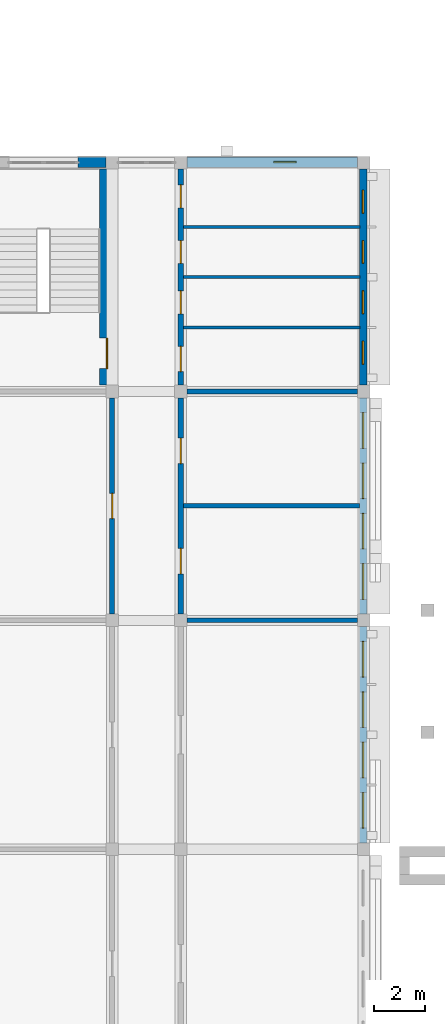
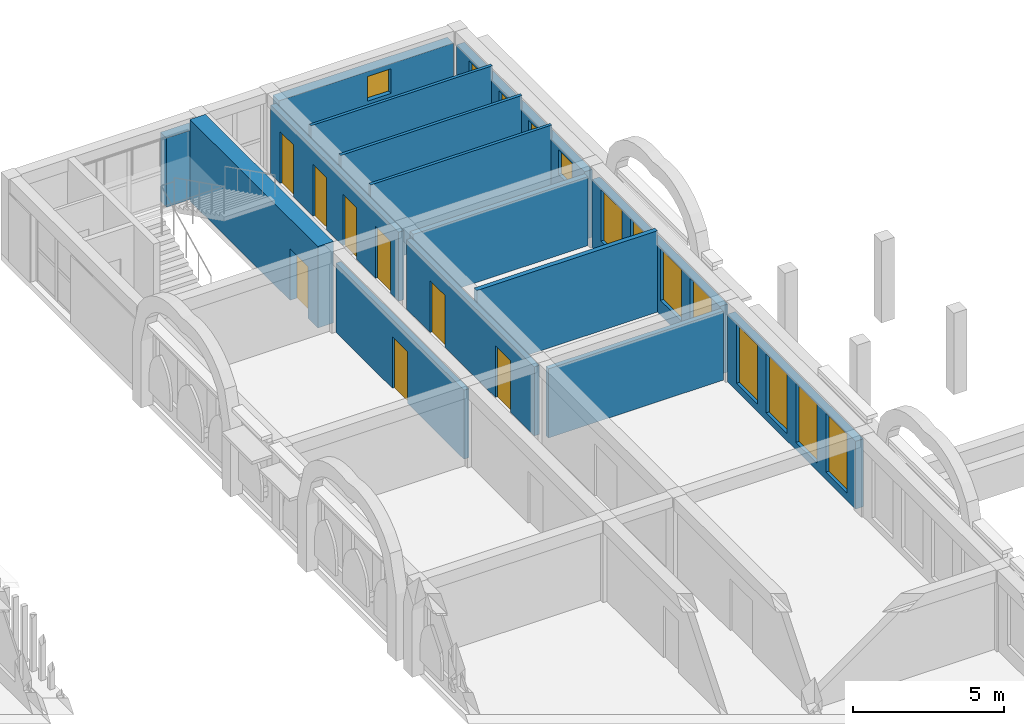
# One storey, part 59 of 82: 15 walls, 13 windows, 8 doors, 21 openings.
"""IFC4 building model written with IfcOpenShell, lengths in metres."""

from ifc_helpers import new_model, si_unit, direction, frame, frame_2d, origin, place, context, subcontext, project, spatial, rectangle, extrude, material, layer, layer_set, type_object, element, fill, save


model = new_model("IFC4")

# Units and contexts
model_context = context("Model", 3, precision=1e-05, world=origin(), true_north=direction((0.0, 1.0)))
body_context = subcontext(model_context, "Body", "Model", "MODEL_VIEW")
ifc_project = project(units=[si_unit("LENGTHUNIT", "METRE"), si_unit("AREAUNIT", "SQUARE_METRE"), si_unit("VOLUMEUNIT", "CUBIC_METRE"), si_unit("PLANEANGLEUNIT", "RADIAN"), si_unit("MASSUNIT", "GRAM", prefix="KILO")], contexts=[model_context])

# Site, building, storey
site_placement = place(None, origin())
site = spatial("IfcSite", under=ifc_project, at=site_placement, CompositionType="ELEMENT")
building_placement = place(site_placement, origin())
building = spatial("IfcBuilding", under=site, at=building_placement, Name="Elbe Cascade School", CompositionType="ELEMENT")
storey_placement = place(building_placement, frame((0.0, 0.0, 4.5)))
storey = spatial("IfcBuildingStorey", under=building, at=storey_placement, Name="L01", CompositionType="ELEMENT", Elevation=4.5)

# Walls
ifc_material_1 = material(Name="Masonry - lime-sand block, plastered", Category="masonry")
ifc_layer_1 = layer(ifc_material_1, 0.175048828125)
ifc_layer_set_1 = layer_set([ifc_layer_1], Name="Masonry - lime-sand block, plastered")
wall_type_1 = type_object("IfcWallType", Name="Bar classroom partition wall lime-sand block 175", PredefinedType="PARTITIONING", material=ifc_layer_set_1)
wall_1_placement = place(storey_placement, frame((167.949951171875, 42.0, 0.0), z_axis=(0.0, 0.0, 1.0), x_axis=(1.0, 0.0, 0.0)))
element("IfcWall", 1, at=wall_1_placement, inside=storey, type_object=wall_type_1, Name="Bar classroom partition wall lime-sand block 175", PredefinedType="PARTITIONING", context=body_context, shape_type="SweptSolid", body=[
    extrude(rectangle(XDim=6.699951171875, YDim=0.175048828125, at=frame_2d((3.35009765625, 0.0))), origin(), (0.0, 0.0, 1.0), 2.800048828125),
])
wall_2_placement = place(storey_placement, frame((167.800048828125, 46.5, 0.0), z_axis=(0.0, 0.0, 1.0), x_axis=(1.0, 0.0, 0.0)))
element("IfcWall", 2, at=wall_2_placement, inside=storey, type_object=wall_type_1, Name="Bar classroom partition wall lime-sand block 175", PredefinedType="PARTITIONING", context=body_context, shape_type="SweptSolid", body=[
    extrude(rectangle(XDim=6.919921875, YDim=0.175048828125, at=frame_2d((3.4599609375, 0.0))), origin(), (0.0, 0.0, 1.0), 3.300048828125),
])

# Wall, openings, doors
ifc_material_2 = material(Name="Masonry - lime-sand block, plastered", Category="masonry")
ifc_layer_2 = layer(ifc_material_2, 0.199951171875)
ifc_layer_set_2 = layer_set([ifc_layer_2], Name="Masonry - lime-sand block, plastered")
wall_type_2 = type_object("IfcWallType", Name="Bar corridor wall lime-sand block 200 EI 30", PredefinedType="PARTITIONING", material=ifc_layer_set_2)
wall_3_placement = place(storey_placement, frame((167.699951171875, 59.75, 0.0), z_axis=(0.0, 0.0, 1.0), x_axis=(0.0, -1.0, 0.0)))
wall_3 = element("IfcWall", 3, at=wall_3_placement, inside=storey, type_object=wall_type_2, Name="Bar corridor wall lime-sand block 200 EI 30", PredefinedType="PARTITIONING", context=body_context, shape_type="SweptSolid", body=[
    extrude(rectangle(XDim=8.5, YDim=0.199951171875, at=frame_2d((4.25, 0.0))), origin(), (0.0, 0.0, 1.0), 2.800048828125),
])
opening_1_placement = place(wall_3_placement, frame((6.96875, 0.0, 0.0)))
opening_1 = element("IfcOpeningElement", 4, at=opening_1_placement, cuts=wall_3, Name="Opening D1.102", PredefinedType="OPENING", context=body_context, shape_type="SweptSolid", body=[
    extrude(rectangle(XDim=1.0, YDim=2.10009765625, at=frame_2d((0.5, 1.050048828125))), frame((0.0, 0.10986328125, 0.0), z_axis=(0.0, -1.0, 0.0), x_axis=(1.0, 0.0, 0.0)), (0.0, 0.0, 1.0), 0.219970703125),
])
opening_2_placement = place(wall_3_placement, frame((4.7900390625, 0.0, 0.0)))
opening_2 = element("IfcOpeningElement", 5, at=opening_2_placement, cuts=wall_3, Name="Opening D1.104", PredefinedType="OPENING", context=body_context, shape_type="SweptSolid", body=[
    extrude(rectangle(XDim=0.89990234375, YDim=2.10009765625, at=frame_2d((0.449951171875, 1.050048828125))), frame((0.0, 0.10986328125, 0.0), z_axis=(0.0, -1.0, 0.0), x_axis=(1.0, 0.0, 0.0)), (0.0, 0.0, 1.0), 0.219970703125),
])
opening_3_placement = place(wall_3_placement, frame((2.81005859375, 0.0, 0.0)))
opening_3 = element("IfcOpeningElement", 6, at=opening_3_placement, cuts=wall_3, Name="Opening D1.106", PredefinedType="OPENING", context=body_context, shape_type="SweptSolid", body=[
    extrude(rectangle(XDim=0.89990234375, YDim=2.10009765625, at=frame_2d((0.449951171875, 1.050048828125))), frame((0.0, 0.10986328125, 0.0), z_axis=(0.0, -1.0, 0.0), x_axis=(1.0, 0.0, 0.0)), (0.0, 0.0, 1.0), 0.219970703125),
])
opening_4_placement = place(wall_3_placement, frame((0.62109375, 0.0, 0.0)))
opening_4 = element("IfcOpeningElement", 7, at=opening_4_placement, cuts=wall_3, Name="Opening D1.108", PredefinedType="OPENING", context=body_context, shape_type="SweptSolid", body=[
    extrude(rectangle(XDim=0.89990234375, YDim=2.10009765625, at=frame_2d((0.449951171875, 1.050048828125))), frame((0.0, 0.10986328125, 0.0), z_axis=(0.0, -1.0, 0.0), x_axis=(1.0, 0.0, 0.0)), (0.0, 0.0, 1.0), 0.219970703125),
])
ifc_material_3 = material(Name="Timber door leaf, fire-resisting, steel frame", Category="steel")
door_type_1 = type_object("IfcDoorType", Name="Bar door FD30 1000x2100", OperationType="NOTDEFINED", PredefinedType="DOOR", material=ifc_material_3)
door_1_placement = place(opening_1_placement, origin())
door_1 = element("IfcDoor", 8, at=door_1_placement, inside=storey, type_object=door_type_1, Name="Door D1.18", OperationType="SINGLE_SWING_LEFT", OverallHeight=2.10009765625, OverallWidth=1.0, PredefinedType="DOOR", context=body_context, shape_type="SweptSolid", body=[
    extrude(rectangle(XDim=1.0, YDim=2.10009765625, at=frame_2d((0.5, 1.050048828125))), frame((0.0, 0.02490234375, 0.0), z_axis=(0.0, -1.0, 0.0), x_axis=(1.0, 0.0, 0.0)), (0.0, 0.0, 1.0), 0.050048828125),
])
fill(opening_1, door_1)
ifc_material_4 = material(Name="Timber door leaf, fire-resisting, steel frame", Category="steel")
door_type_2 = type_object("IfcDoorType", Name="Bar door FD30 900x2100", OperationType="NOTDEFINED", PredefinedType="DOOR", material=ifc_material_4)
door_2_placement = place(opening_2_placement, origin())
door_2 = element("IfcDoor", 9, at=door_2_placement, inside=storey, type_object=door_type_2, Name="Door D1.17", OperationType="SINGLE_SWING_RIGHT", OverallHeight=2.10009765625, OverallWidth=0.89990234375, PredefinedType="DOOR", context=body_context, shape_type="SweptSolid", body=[
    extrude(rectangle(XDim=0.89990234375, YDim=2.10009765625, at=frame_2d((0.449951171875, 1.050048828125))), frame((0.0, 0.02490234375, 0.0), z_axis=(0.0, -1.0, 0.0), x_axis=(1.0, 0.0, 0.0)), (0.0, 0.0, 1.0), 0.050048828125),
])
fill(opening_2, door_2)
door_3_placement = place(opening_3_placement, origin())
door_3 = element("IfcDoor", 10, at=door_3_placement, inside=storey, type_object=door_type_2, Name="Door D1.16", OperationType="SINGLE_SWING_LEFT", OverallHeight=2.10009765625, OverallWidth=0.89990234375, PredefinedType="DOOR", context=body_context, shape_type="SweptSolid", body=[
    extrude(rectangle(XDim=0.89990234375, YDim=2.10009765625, at=frame_2d((0.449951171875, 1.050048828125))), frame((0.0, 0.02490234375, 0.0), z_axis=(0.0, -1.0, 0.0), x_axis=(1.0, 0.0, 0.0)), (0.0, 0.0, 1.0), 0.050048828125),
])
fill(opening_3, door_3)
door_4_placement = place(opening_4_placement, origin())
door_4 = element("IfcDoor", 11, at=door_4_placement, inside=storey, type_object=door_type_2, Name="Door D1.15", OperationType="SINGLE_SWING_RIGHT", OverallHeight=2.10009765625, OverallWidth=0.89990234375, PredefinedType="DOOR", context=body_context, shape_type="SweptSolid", body=[
    extrude(rectangle(XDim=0.89990234375, YDim=2.10009765625, at=frame_2d((0.449951171875, 1.050048828125))), frame((0.0, 0.02490234375, 0.0), z_axis=(0.0, -1.0, 0.0), x_axis=(1.0, 0.0, 0.0)), (0.0, 0.0, 1.0), 0.050048828125),
])
fill(opening_4, door_4)

# Wall, opening, door
wall_4_placement = place(storey_placement, frame((165.0, 42.25, 0.0), z_axis=(0.0, 0.0, 1.0), x_axis=(0.0, 1.0, 0.0)))
wall_4 = element("IfcWall", 12, at=wall_4_placement, inside=storey, type_object=wall_type_2, Name="Bar corridor wall lime-sand block 200 EI 30", PredefinedType="PARTITIONING", context=body_context, shape_type="SweptSolid", body=[
    extrude(rectangle(XDim=8.5, YDim=0.199951171875, at=frame_2d((4.25, 0.0))), origin(), (0.0, 0.0, 1.0), 2.800048828125),
])
opening_5_placement = place(wall_4_placement, frame((3.75, 0.0, 0.0)))
opening_5 = element("IfcOpeningElement", 13, at=opening_5_placement, cuts=wall_4, Name="Opening D1.100", PredefinedType="OPENING", context=body_context, shape_type="SweptSolid", body=[
    extrude(rectangle(XDim=1.0, YDim=2.10009765625, at=frame_2d((0.5, 1.050048828125))), frame((0.0, 0.10986328125, 0.0), z_axis=(0.0, -1.0, 0.0), x_axis=(1.0, 0.0, 0.0)), (0.0, 0.0, 1.0), 0.219970703125),
])
door_5_placement = place(opening_5_placement, origin())
door_5 = element("IfcDoor", 14, at=door_5_placement, inside=storey, type_object=door_type_1, Name="Door D1.22", OperationType="SINGLE_SWING_LEFT", OverallHeight=2.10009765625, OverallWidth=1.0, PredefinedType="DOOR", context=body_context, shape_type="SweptSolid", body=[
    extrude(rectangle(XDim=1.0, YDim=2.10009765625, at=frame_2d((0.5, 1.050048828125))), frame((0.0, 0.02490234375, 0.0), z_axis=(0.0, -1.0, 0.0), x_axis=(1.0, 0.0, 0.0)), (0.0, 0.0, 1.0), 0.050048828125),
])
fill(opening_5, door_5)

# Wall, openings, doors
wall_5_placement = place(storey_placement, frame((167.699951171875, 50.75, 0.0), z_axis=(0.0, 0.0, 1.0), x_axis=(0.0, -1.0, 0.0)))
wall_5 = element("IfcWall", 15, at=wall_5_placement, inside=storey, type_object=wall_type_2, Name="Bar corridor wall lime-sand block 200 EI 30", PredefinedType="PARTITIONING", context=body_context, shape_type="SweptSolid", body=[
    extrude(rectangle(XDim=8.5, YDim=0.199951171875, at=frame_2d((4.25, 0.0))), origin(), (0.0, 0.0, 1.0), 2.800048828125),
])
opening_6_placement = place(wall_5_placement, frame((5.918701171875, 0.0, 0.0)))
opening_6 = element("IfcOpeningElement", 16, at=opening_6_placement, cuts=wall_5, Name="Opening D1.099", PredefinedType="OPENING", context=body_context, shape_type="SweptSolid", body=[
    extrude(rectangle(XDim=1.0, YDim=2.10009765625, at=frame_2d((0.5, 1.050048828125))), frame((0.0, 0.10986328125, 0.0), z_axis=(0.0, -1.0, 0.0), x_axis=(1.0, 0.0, 0.0)), (0.0, 0.0, 1.0), 0.219970703125),
])
opening_7_placement = place(wall_5_placement, frame((1.581298828125, 0.0, 0.0)))
opening_7 = element("IfcOpeningElement", 17, at=opening_7_placement, cuts=wall_5, Name="Opening D1.101", PredefinedType="OPENING", context=body_context, shape_type="SweptSolid", body=[
    extrude(rectangle(XDim=1.0, YDim=2.10009765625, at=frame_2d((0.5, 1.050048828125))), frame((0.0, 0.10986328125, 0.0), z_axis=(0.0, -1.0, 0.0), x_axis=(1.0, 0.0, 0.0)), (0.0, 0.0, 1.0), 0.219970703125),
])
door_6_placement = place(opening_6_placement, origin())
door_6 = element("IfcDoor", 18, at=door_6_placement, inside=storey, type_object=door_type_1, Name="Door D1.25", OperationType="SINGLE_SWING_RIGHT", OverallHeight=2.10009765625, OverallWidth=1.0, PredefinedType="DOOR", context=body_context, shape_type="SweptSolid", body=[
    extrude(rectangle(XDim=1.0, YDim=2.10009765625, at=frame_2d((0.5, 1.050048828125))), frame((0.0, 0.02490234375, 0.0), z_axis=(0.0, -1.0, 0.0), x_axis=(1.0, 0.0, 0.0)), (0.0, 0.0, 1.0), 0.050048828125),
])
fill(opening_6, door_6)
door_7_placement = place(opening_7_placement, origin())
door_7 = element("IfcDoor", 19, at=door_7_placement, inside=storey, type_object=door_type_1, Name="Door D1.26", OperationType="SINGLE_SWING_LEFT", OverallHeight=2.10009765625, OverallWidth=1.0, PredefinedType="DOOR", context=body_context, shape_type="SweptSolid", body=[
    extrude(rectangle(XDim=1.0, YDim=2.10009765625, at=frame_2d((0.5, 1.050048828125))), frame((0.0, 0.02490234375, 0.0), z_axis=(0.0, -1.0, 0.0), x_axis=(1.0, 0.0, 0.0)), (0.0, 0.0, 1.0), 0.050048828125),
])
fill(opening_7, door_7)

# Walls
ifc_material_5 = material(Name="Masonry - lime-sand block, plastered", Category="masonry")
ifc_layer_3 = layer(ifc_material_5, 0.114990234375)
ifc_layer_set_3 = layer_set([ifc_layer_3], Name="Masonry - lime-sand block, plastered")
wall_type_3 = type_object("IfcWallType", Name="Bar light partition wall lime-sand block 115", PredefinedType="PARTITIONING", material=ifc_layer_set_3)
for number, where, z_axis, x_axis, name in (
    (20, (167.800048828125, 57.47998046875, 0.0), (0.0, 0.0, 1.0), (1.0, 0.0, 0.0), "Bar light partition wall lime-sand block 115"),
    (21, (167.800048828125, 55.5, 0.0), (0.0, 0.0, 1.0), (1.0, 0.0, 0.0), "Bar light partition wall lime-sand block 115"),
    (22, (167.800048828125, 53.52001953125, 0.0), (0.0, 0.0, 1.0), (1.0, 0.0, 0.0), "Bar light partition wall lime-sand block 115"),
):
    element("IfcWall", number, at=place(storey_placement, frame(where, z_axis=z_axis, x_axis=x_axis)), inside=storey, type_object=wall_type_3, Name=name, PredefinedType="PARTITIONING", context=body_context, shape_type="SweptSolid", body=[
        extrude(rectangle(XDim=6.949951171875, YDim=0.114990234375, at=frame_2d((3.47509765625, 0.0))), origin(), (0.0, 0.0, 1.0), 3.300048828125),
    ])
ifc_material_6 = material(Name="Masonry - lime-sand block, plastered", Category="masonry")
ifc_layer_4 = layer(ifc_material_6, 0.199951171875)
ifc_layer_set_4 = layer_set([ifc_layer_4], Name="Masonry - lime-sand block, plastered")
wall_type_4 = type_object("IfcWallType", Name="Bar partition wall lime-sand block 200", PredefinedType="PARTITIONING", material=ifc_layer_set_4)
wall_6_placement = place(storey_placement, frame((167.949951171875, 51.0, 0.0), z_axis=(0.0, 0.0, 1.0), x_axis=(1.0, 0.0, 0.0)))
element("IfcWall", 23, at=wall_6_placement, inside=storey, type_object=wall_type_4, Name="Bar partition wall lime-sand block 200", PredefinedType="PARTITIONING", context=body_context, shape_type="SweptSolid", body=[
    extrude(rectangle(XDim=6.699951171875, YDim=0.199951171875, at=frame_2d((3.35009765625, 0.0))), origin(), (0.0, 0.0, 1.0), 2.800048828125),
])

# Wall, opening, door
ifc_material_7 = material(Name="Concrete C30/37", Category="concrete")
ifc_layer_5 = layer(ifc_material_7, 0.60009765625)
ifc_layer_set_5 = layer_set([ifc_layer_5], Name="Concrete C30/37")
wall_type_5 = type_object("IfcWallType", Name="Bar stair core wall RC 600", PredefinedType="SOLIDWALL", material=ifc_layer_set_5)
wall_7_placement = place(storey_placement, frame((164.800048828125, 51.25, 0.0), z_axis=(0.0, 0.0, 1.0), x_axis=(0.0, 1.0, 0.0)))
wall_7 = element("IfcWall", 24, at=wall_7_placement, inside=storey, type_object=wall_type_5, Name="Bar stair core wall RC 600", PredefinedType="SOLIDWALL", context=body_context, shape_type="SweptSolid", body=[
    extrude(rectangle(XDim=8.5, YDim=0.60009765625, at=frame_2d((4.25, 0.0))), origin(), (0.0, 0.0, 1.0), 3.300048828125),
])
opening_8_placement = place(wall_7_placement, frame((0.64990234375, 0.0, 0.0)))
opening_8 = element("IfcOpeningElement", 25, at=opening_8_placement, cuts=wall_7, Name="Opening D1.103", PredefinedType="OPENING", context=body_context, shape_type="SweptSolid", body=[
    extrude(rectangle(XDim=1.199951171875, YDim=2.10009765625, at=frame_2d((0.60009765625, 1.050048828125))), frame((0.0, 0.31005859375, 0.0), z_axis=(0.0, -1.0, 0.0), x_axis=(1.0, 0.0, 0.0)), (0.0, 0.0, 1.0), 0.6201171875),
])
ifc_material_8 = material(Name="Timber door leaf, fire-resisting and smoke-tight, steel frame", Category="steel")
door_type_3 = type_object("IfcDoorType", Name="Bar door FD30S 1200x2100", OperationType="NOTDEFINED", PredefinedType="DOOR", material=ifc_material_8)
door_8_placement = place(opening_8_placement, origin())
door_8 = element("IfcDoor", 26, at=door_8_placement, inside=storey, type_object=door_type_3, Name="Door D1.12", OperationType="SINGLE_SWING_RIGHT", OverallHeight=2.10009765625, OverallWidth=1.199951171875, PredefinedType="DOOR", context=body_context, shape_type="SweptSolid", body=[
    extrude(rectangle(XDim=1.199951171875, YDim=2.10009765625, at=frame_2d((0.60009765625, 1.050048828125))), frame((0.0, 0.02490234375, 0.0), z_axis=(0.0, -1.0, 0.0), x_axis=(1.0, 0.0, 0.0)), (0.0, 0.0, 1.0), 0.050048828125),
])
fill(opening_8, door_8)

# Wall, openings, windows
ifc_material_9 = material(Name="Brick masonry - red clinker, cavity wall with render backing", Category="masonry")
ifc_layer_6 = layer(ifc_material_9, 0.300048828125)
ifc_layer_set_6 = layer_set([ifc_layer_6], Name="Brick masonry - red clinker, cavity wall with render backing")
wall_type_6 = type_object("IfcWallType", Name="Bars envelope External wall - clinker brick cavity, 300 upper floors", PredefinedType="STANDARD", material=ifc_layer_set_6)
wall_8_placement = place(storey_placement, frame((174.8701171875, 41.75, 0.0), z_axis=(0.0, 0.0, 1.0), x_axis=(0.0, -1.0, 0.0)))
wall_8 = element("IfcWall", 27, at=wall_8_placement, inside=storey, type_object=wall_type_6, Name="External wall W30 D.L01.e4", PredefinedType="STANDARD", context=body_context, shape_type="SweptSolid", body=[
    extrude(rectangle(XDim=8.5, YDim=0.300048828125, at=frame_2d((4.25, 0.0))), origin(), (0.0, 0.0, 1.0), 2.75),
])
opening_9_placement = place(wall_8_placement, frame((6.52001953125, 0.0, 0.300048828125)))
opening_9 = element("IfcOpeningElement", 28, at=opening_9_placement, cuts=wall_8, Name="Opening W1.123", PredefinedType="OPENING", context=body_context, shape_type="SweptSolid", body=[
    extrude(rectangle(XDim=1.39990234375, YDim=2.39990234375, at=frame_2d((0.699951171875, 1.199951171875))), frame((0.0, 0.159912109375, 0.0), z_axis=(0.0, -1.0, 0.0), x_axis=(1.0, 0.0, 0.0)), (0.0, 0.0, 1.0), 0.320068359375),
])
opening_10_placement = place(wall_8_placement, frame((4.5400390625, 0.0, 0.300048828125)))
opening_10 = element("IfcOpeningElement", 29, at=opening_10_placement, cuts=wall_8, Name="Opening W1.125", PredefinedType="OPENING", context=body_context, shape_type="SweptSolid", body=[
    extrude(rectangle(XDim=1.39990234375, YDim=2.39990234375, at=frame_2d((0.699951171875, 1.199951171875))), frame((0.0, 0.159912109375, 0.0), z_axis=(0.0, -1.0, 0.0), x_axis=(1.0, 0.0, 0.0)), (0.0, 0.0, 1.0), 0.320068359375),
])
opening_11_placement = place(wall_8_placement, frame((2.56005859375, 0.0, 0.300048828125)))
opening_11 = element("IfcOpeningElement", 30, at=opening_11_placement, cuts=wall_8, Name="Opening W1.127", PredefinedType="OPENING", context=body_context, shape_type="SweptSolid", body=[
    extrude(rectangle(XDim=1.39990234375, YDim=2.39990234375, at=frame_2d((0.699951171875, 1.199951171875))), frame((0.0, 0.159912109375, 0.0), z_axis=(0.0, -1.0, 0.0), x_axis=(1.0, 0.0, 0.0)), (0.0, 0.0, 1.0), 0.320068359375),
])
opening_12_placement = place(wall_8_placement, frame((0.580078125, 0.0, 0.300048828125)))
opening_12 = element("IfcOpeningElement", 31, at=opening_12_placement, cuts=wall_8, Name="Opening W1.129", PredefinedType="OPENING", context=body_context, shape_type="SweptSolid", body=[
    extrude(rectangle(XDim=1.39990234375, YDim=2.39990234375, at=frame_2d((0.699951171875, 1.199951171875))), frame((0.0, 0.159912109375, 0.0), z_axis=(0.0, -1.0, 0.0), x_axis=(1.0, 0.0, 0.0)), (0.0, 0.0, 1.0), 0.320068359375),
])
ifc_material_10 = material(Name="Aluminium frame with double glazing, bronze anodised", Category="aluminium")
window_type_1 = type_object("IfcWindowType", Name="Bars envelope Window 1400 x 2400, library reading, tall, aluminium double glazed", PartitioningType="DOUBLE_PANEL_VERTICAL", PredefinedType="WINDOW", material=ifc_material_10)
window_1_placement = place(opening_9_placement, origin())
window_1 = element("IfcWindow", 32, at=window_1_placement, inside=storey, type_object=window_type_1, Name="Window WN13 D.L01.e4.1", OverallHeight=2.39990234375, OverallWidth=1.39990234375, PartitioningType="DOUBLE_PANEL_VERTICAL", PredefinedType="WINDOW", context=body_context, shape_type="SweptSolid", body=[
    extrude(rectangle(XDim=1.39990234375, YDim=2.39990234375, at=frame_2d((0.699951171875, 1.199951171875))), frame((0.0, 0.030029296875, 0.0), z_axis=(0.0, -1.0, 0.0), x_axis=(1.0, 0.0, 0.0)), (0.0, 0.0, 1.0), 0.06005859375),
])
fill(opening_9, window_1)
window_2_placement = place(opening_10_placement, origin())
window_2 = element("IfcWindow", 33, at=window_2_placement, inside=storey, type_object=window_type_1, Name="Window WN13 D.L01.e4.2", OverallHeight=2.39990234375, OverallWidth=1.39990234375, PartitioningType="DOUBLE_PANEL_VERTICAL", PredefinedType="WINDOW", context=body_context, shape_type="SweptSolid", body=[
    extrude(rectangle(XDim=1.39990234375, YDim=2.39990234375, at=frame_2d((0.699951171875, 1.199951171875))), frame((0.0, 0.030029296875, 0.0), z_axis=(0.0, -1.0, 0.0), x_axis=(1.0, 0.0, 0.0)), (0.0, 0.0, 1.0), 0.06005859375),
])
fill(opening_10, window_2)
window_3_placement = place(opening_11_placement, origin())
window_3 = element("IfcWindow", 34, at=window_3_placement, inside=storey, type_object=window_type_1, Name="Window WN13 D.L01.e4.3", OverallHeight=2.39990234375, OverallWidth=1.39990234375, PartitioningType="DOUBLE_PANEL_VERTICAL", PredefinedType="WINDOW", context=body_context, shape_type="SweptSolid", body=[
    extrude(rectangle(XDim=1.39990234375, YDim=2.39990234375, at=frame_2d((0.699951171875, 1.199951171875))), frame((0.0, 0.030029296875, 0.0), z_axis=(0.0, -1.0, 0.0), x_axis=(1.0, 0.0, 0.0)), (0.0, 0.0, 1.0), 0.06005859375),
])
fill(opening_11, window_3)
window_4_placement = place(opening_12_placement, origin())
window_4 = element("IfcWindow", 35, at=window_4_placement, inside=storey, type_object=window_type_1, Name="Window WN13 D.L01.e4.4", OverallHeight=2.39990234375, OverallWidth=1.39990234375, PartitioningType="DOUBLE_PANEL_VERTICAL", PredefinedType="WINDOW", context=body_context, shape_type="SweptSolid", body=[
    extrude(rectangle(XDim=1.39990234375, YDim=2.39990234375, at=frame_2d((0.699951171875, 1.199951171875))), frame((0.0, 0.030029296875, 0.0), z_axis=(0.0, -1.0, 0.0), x_axis=(1.0, 0.0, 0.0)), (0.0, 0.0, 1.0), 0.06005859375),
])
fill(opening_12, window_4)

wall_9_placement = place(storey_placement, frame((174.8701171875, 50.75, 0.0), z_axis=(0.0, 0.0, 1.0), x_axis=(0.0, -1.0, 0.0)))
wall_9 = element("IfcWall", 36, at=wall_9_placement, inside=storey, type_object=wall_type_6, Name="External wall W30 D.L01.e5", PredefinedType="STANDARD", context=body_context, shape_type="SweptSolid", body=[
    extrude(rectangle(XDim=8.5, YDim=0.300048828125, at=frame_2d((4.25, 0.0))), origin(), (0.0, 0.0, 1.0), 2.75),
])
opening_13_placement = place(wall_9_placement, frame((6.52001953125, 0.0, 0.60009765625)))
opening_13 = element("IfcOpeningElement", 37, at=opening_13_placement, cuts=wall_9, Name="Opening W1.131", PredefinedType="OPENING", context=body_context, shape_type="SweptSolid", body=[
    extrude(rectangle(XDim=1.39990234375, YDim=2.10009765625, at=frame_2d((0.699951171875, 1.050048828125))), frame((0.0, 0.159912109375, 0.0), z_axis=(0.0, -1.0, 0.0), x_axis=(1.0, 0.0, 0.0)), (0.0, 0.0, 1.0), 0.320068359375),
])
opening_14_placement = place(wall_9_placement, frame((4.5400390625, 0.0, 0.60009765625)))
opening_14 = element("IfcOpeningElement", 38, at=opening_14_placement, cuts=wall_9, Name="Opening W1.133", PredefinedType="OPENING", context=body_context, shape_type="SweptSolid", body=[
    extrude(rectangle(XDim=1.39990234375, YDim=2.10009765625, at=frame_2d((0.699951171875, 1.050048828125))), frame((0.0, 0.159912109375, 0.0), z_axis=(0.0, -1.0, 0.0), x_axis=(1.0, 0.0, 0.0)), (0.0, 0.0, 1.0), 0.320068359375),
])
opening_15_placement = place(wall_9_placement, frame((2.56005859375, 0.0, 0.60009765625)))
opening_15 = element("IfcOpeningElement", 39, at=opening_15_placement, cuts=wall_9, Name="Opening W1.135", PredefinedType="OPENING", context=body_context, shape_type="SweptSolid", body=[
    extrude(rectangle(XDim=1.39990234375, YDim=2.10009765625, at=frame_2d((0.699951171875, 1.050048828125))), frame((0.0, 0.159912109375, 0.0), z_axis=(0.0, -1.0, 0.0), x_axis=(1.0, 0.0, 0.0)), (0.0, 0.0, 1.0), 0.320068359375),
])
opening_16_placement = place(wall_9_placement, frame((0.580078125, 0.0, 0.60009765625)))
opening_16 = element("IfcOpeningElement", 40, at=opening_16_placement, cuts=wall_9, Name="Opening W1.137", PredefinedType="OPENING", context=body_context, shape_type="SweptSolid", body=[
    extrude(rectangle(XDim=1.39990234375, YDim=2.10009765625, at=frame_2d((0.699951171875, 1.050048828125))), frame((0.0, 0.159912109375, 0.0), z_axis=(0.0, -1.0, 0.0), x_axis=(1.0, 0.0, 0.0)), (0.0, 0.0, 1.0), 0.320068359375),
])
ifc_material_11 = material(Name="Aluminium frame with double glazing, bronze anodised", Category="aluminium")
window_type_2 = type_object("IfcWindowType", Name="Bars envelope Window 1400 x 2100, classroom, aluminium double glazed", PartitioningType="DOUBLE_PANEL_VERTICAL", PredefinedType="WINDOW", material=ifc_material_11)
window_5_placement = place(opening_13_placement, origin())
window_5 = element("IfcWindow", 41, at=window_5_placement, inside=storey, type_object=window_type_2, Name="Window WN8 D.L01.e5.1", OverallHeight=2.10009765625, OverallWidth=1.39990234375, PartitioningType="DOUBLE_PANEL_VERTICAL", PredefinedType="WINDOW", context=body_context, shape_type="SweptSolid", body=[
    extrude(rectangle(XDim=1.39990234375, YDim=2.10009765625, at=frame_2d((0.699951171875, 1.050048828125))), frame((0.0, 0.030029296875, 0.0), z_axis=(0.0, -1.0, 0.0), x_axis=(1.0, 0.0, 0.0)), (0.0, 0.0, 1.0), 0.06005859375),
])
fill(opening_13, window_5)
window_6_placement = place(opening_14_placement, origin())
window_6 = element("IfcWindow", 42, at=window_6_placement, inside=storey, type_object=window_type_2, Name="Window WN8 D.L01.e5.2", OverallHeight=2.10009765625, OverallWidth=1.39990234375, PartitioningType="DOUBLE_PANEL_VERTICAL", PredefinedType="WINDOW", context=body_context, shape_type="SweptSolid", body=[
    extrude(rectangle(XDim=1.39990234375, YDim=2.10009765625, at=frame_2d((0.699951171875, 1.050048828125))), frame((0.0, 0.030029296875, 0.0), z_axis=(0.0, -1.0, 0.0), x_axis=(1.0, 0.0, 0.0)), (0.0, 0.0, 1.0), 0.06005859375),
])
fill(opening_14, window_6)
window_7_placement = place(opening_15_placement, origin())
window_7 = element("IfcWindow", 43, at=window_7_placement, inside=storey, type_object=window_type_2, Name="Window WN8 D.L01.e5.3", OverallHeight=2.10009765625, OverallWidth=1.39990234375, PartitioningType="DOUBLE_PANEL_VERTICAL", PredefinedType="WINDOW", context=body_context, shape_type="SweptSolid", body=[
    extrude(rectangle(XDim=1.39990234375, YDim=2.10009765625, at=frame_2d((0.699951171875, 1.050048828125))), frame((0.0, 0.030029296875, 0.0), z_axis=(0.0, -1.0, 0.0), x_axis=(1.0, 0.0, 0.0)), (0.0, 0.0, 1.0), 0.06005859375),
])
fill(opening_15, window_7)
window_8_placement = place(opening_16_placement, origin())
window_8 = element("IfcWindow", 44, at=window_8_placement, inside=storey, type_object=window_type_2, Name="Window WN8 D.L01.e5.4", OverallHeight=2.10009765625, OverallWidth=1.39990234375, PartitioningType="DOUBLE_PANEL_VERTICAL", PredefinedType="WINDOW", context=body_context, shape_type="SweptSolid", body=[
    extrude(rectangle(XDim=1.39990234375, YDim=2.10009765625, at=frame_2d((0.699951171875, 1.050048828125))), frame((0.0, 0.030029296875, 0.0), z_axis=(0.0, -1.0, 0.0), x_axis=(1.0, 0.0, 0.0)), (0.0, 0.0, 1.0), 0.06005859375),
])
fill(opening_16, window_8)

wall_10_placement = place(storey_placement, frame((174.8701171875, 59.75, 0.0), z_axis=(0.0, 0.0, 1.0), x_axis=(0.0, -1.0, 0.0)))
wall_10 = element("IfcWall", 45, at=wall_10_placement, inside=storey, type_object=wall_type_6, Name="External wall W30 D.L01.e6", PredefinedType="STANDARD", context=body_context, shape_type="SweptSolid", body=[
    extrude(rectangle(XDim=8.5, YDim=0.300048828125, at=frame_2d((4.25, 0.0))), origin(), (0.0, 0.0, 1.0), 2.75),
])
opening_17_placement = place(wall_10_placement, frame((6.77001953125, 0.0, 1.60009765625)))
opening_17 = element("IfcOpeningElement", 46, at=opening_17_placement, cuts=wall_10, Name="Opening W1.138", PredefinedType="OPENING", context=body_context, shape_type="SweptSolid", body=[
    extrude(rectangle(XDim=0.89990234375, YDim=1.0, at=frame_2d((0.449951171875, 0.5))), frame((0.0, 0.159912109375, 0.0), z_axis=(0.0, -1.0, 0.0), x_axis=(1.0, 0.0, 0.0)), (0.0, 0.0, 1.0), 0.320068359375),
])
opening_18_placement = place(wall_10_placement, frame((4.7900390625, 0.0, 1.60009765625)))
opening_18 = element("IfcOpeningElement", 47, at=opening_18_placement, cuts=wall_10, Name="Opening W1.139", PredefinedType="OPENING", context=body_context, shape_type="SweptSolid", body=[
    extrude(rectangle(XDim=0.89990234375, YDim=1.0, at=frame_2d((0.449951171875, 0.5))), frame((0.0, 0.159912109375, 0.0), z_axis=(0.0, -1.0, 0.0), x_axis=(1.0, 0.0, 0.0)), (0.0, 0.0, 1.0), 0.320068359375),
])
opening_19_placement = place(wall_10_placement, frame((2.81005859375, 0.0, 1.60009765625)))
opening_19 = element("IfcOpeningElement", 48, at=opening_19_placement, cuts=wall_10, Name="Opening W1.140", PredefinedType="OPENING", context=body_context, shape_type="SweptSolid", body=[
    extrude(rectangle(XDim=0.89990234375, YDim=1.0, at=frame_2d((0.449951171875, 0.5))), frame((0.0, 0.159912109375, 0.0), z_axis=(0.0, -1.0, 0.0), x_axis=(1.0, 0.0, 0.0)), (0.0, 0.0, 1.0), 0.320068359375),
])
opening_20_placement = place(wall_10_placement, frame((0.830078125, 0.0, 1.60009765625)))
opening_20 = element("IfcOpeningElement", 49, at=opening_20_placement, cuts=wall_10, Name="Opening W1.141", PredefinedType="OPENING", context=body_context, shape_type="SweptSolid", body=[
    extrude(rectangle(XDim=0.89990234375, YDim=1.0, at=frame_2d((0.449951171875, 0.5))), frame((0.0, 0.159912109375, 0.0), z_axis=(0.0, -1.0, 0.0), x_axis=(1.0, 0.0, 0.0)), (0.0, 0.0, 1.0), 0.320068359375),
])
ifc_material_12 = material(Name="Aluminium frame with double glazing, bronze anodised", Category="aluminium")
window_type_3 = type_object("IfcWindowType", Name="Bars envelope Window 900 x 1000, WC and service room, high level, aluminium double glazed", PartitioningType="SINGLE_PANEL", PredefinedType="WINDOW", material=ifc_material_12)
window_9_placement = place(opening_17_placement, origin())
window_9 = element("IfcWindow", 50, at=window_9_placement, inside=storey, type_object=window_type_3, Name="Window WN4 D.L01.e6.1", OverallHeight=1.0, OverallWidth=0.89990234375, PartitioningType="SINGLE_PANEL", PredefinedType="WINDOW", context=body_context, shape_type="SweptSolid", body=[
    extrude(rectangle(XDim=0.89990234375, YDim=1.0, at=frame_2d((0.449951171875, 0.5))), frame((0.0, 0.030029296875, 0.0), z_axis=(0.0, -1.0, 0.0), x_axis=(1.0, 0.0, 0.0)), (0.0, 0.0, 1.0), 0.06005859375),
])
fill(opening_17, window_9)
window_10_placement = place(opening_18_placement, origin())
window_10 = element("IfcWindow", 51, at=window_10_placement, inside=storey, type_object=window_type_3, Name="Window WN4 D.L01.e6.2", OverallHeight=1.0, OverallWidth=0.89990234375, PartitioningType="SINGLE_PANEL", PredefinedType="WINDOW", context=body_context, shape_type="SweptSolid", body=[
    extrude(rectangle(XDim=0.89990234375, YDim=1.0, at=frame_2d((0.449951171875, 0.5))), frame((0.0, 0.030029296875, 0.0), z_axis=(0.0, -1.0, 0.0), x_axis=(1.0, 0.0, 0.0)), (0.0, 0.0, 1.0), 0.06005859375),
])
fill(opening_18, window_10)
window_11_placement = place(opening_19_placement, origin())
window_11 = element("IfcWindow", 52, at=window_11_placement, inside=storey, type_object=window_type_3, Name="Window WN4 D.L01.e6.3", OverallHeight=1.0, OverallWidth=0.89990234375, PartitioningType="SINGLE_PANEL", PredefinedType="WINDOW", context=body_context, shape_type="SweptSolid", body=[
    extrude(rectangle(XDim=0.89990234375, YDim=1.0, at=frame_2d((0.449951171875, 0.5))), frame((0.0, 0.030029296875, 0.0), z_axis=(0.0, -1.0, 0.0), x_axis=(1.0, 0.0, 0.0)), (0.0, 0.0, 1.0), 0.06005859375),
])
fill(opening_19, window_11)
window_12_placement = place(opening_20_placement, origin())
window_12 = element("IfcWindow", 53, at=window_12_placement, inside=storey, type_object=window_type_3, Name="Window WN4 D.L01.e6.4", OverallHeight=1.0, OverallWidth=0.89990234375, PartitioningType="SINGLE_PANEL", PredefinedType="WINDOW", context=body_context, shape_type="SweptSolid", body=[
    extrude(rectangle(XDim=0.89990234375, YDim=1.0, at=frame_2d((0.449951171875, 0.5))), frame((0.0, 0.030029296875, 0.0), z_axis=(0.0, -1.0, 0.0), x_axis=(1.0, 0.0, 0.0)), (0.0, 0.0, 1.0), 0.06005859375),
])
fill(opening_20, window_12)

# Wall
ifc_material_13 = material(Name="Brick masonry - red clinker, solid, sandstone-faced", Category="masonry")
ifc_layer_7 = layer(ifc_material_13, 0.39990234375)
ifc_layer_set_7 = layer_set([ifc_layer_7], Name="Brick masonry - red clinker, solid, sandstone-faced")
wall_type_7 = type_object("IfcWallType", Name="Bars envelope External wall - solid masonry core strip, sandstone faced, 400", PredefinedType="STANDARD", material=ifc_layer_set_7)
wall_11_placement = place(storey_placement, frame((163.64990234375, 60.02001953125, 0.0), z_axis=(0.0, 0.0, 1.0), x_axis=(1.0, 0.0, 0.0)))
element("IfcWall", 54, at=wall_11_placement, inside=storey, type_object=wall_type_7, Name="External wall W31 D.L01.n1b", PredefinedType="STANDARD", context=body_context, shape_type="SweptSolid", body=[
    extrude(rectangle(XDim=1.10009765625, YDim=0.39990234375, at=frame_2d((0.550048828125, 0.0))), origin(), (0.0, 0.0, 1.0), 2.800048828125),
])

# Wall, opening, window
wall_12_placement = place(storey_placement, frame((167.949951171875, 60.02001953125, 0.0), z_axis=(0.0, 0.0, 1.0), x_axis=(1.0, 0.0, 0.0)))
wall_12 = element("IfcWall", 55, at=wall_12_placement, inside=storey, type_object=wall_type_7, Name="External wall W31 D.L01.n3", PredefinedType="STANDARD", context=body_context, shape_type="SweptSolid", body=[
    extrude(rectangle(XDim=6.699951171875, YDim=0.39990234375, at=frame_2d((3.35009765625, 0.0))), origin(), (0.0, 0.0, 1.0), 2.800048828125),
])
opening_21_placement = place(wall_12_placement, frame((3.39990234375, 0.0, 1.60009765625)))
opening_21 = element("IfcOpeningElement", 56, at=opening_21_placement, cuts=wall_12, Name="Opening W1.142", PredefinedType="OPENING", context=body_context, shape_type="SweptSolid", body=[
    extrude(rectangle(XDim=0.89990234375, YDim=1.0, at=frame_2d((0.449951171875, 0.5))), frame((0.0, 0.2099609375, 0.0), z_axis=(0.0, -1.0, 0.0), x_axis=(1.0, 0.0, 0.0)), (0.0, 0.0, 1.0), 0.419921875),
])
window_13_placement = place(opening_21_placement, origin())
window_13 = element("IfcWindow", 57, at=window_13_placement, inside=storey, type_object=window_type_3, Name="Window WN4 D.L01.n3.1", OverallHeight=1.0, OverallWidth=0.89990234375, PartitioningType="SINGLE_PANEL", PredefinedType="WINDOW", context=body_context, shape_type="SweptSolid", body=[
    extrude(rectangle(XDim=0.89990234375, YDim=1.0, at=frame_2d((0.449951171875, 0.5))), frame((0.0, 0.030029296875, 0.0), z_axis=(0.0, -1.0, 0.0), x_axis=(1.0, 0.0, 0.0)), (0.0, 0.0, 1.0), 0.06005859375),
])
fill(opening_21, window_13)

save(model, "model.ifc")
